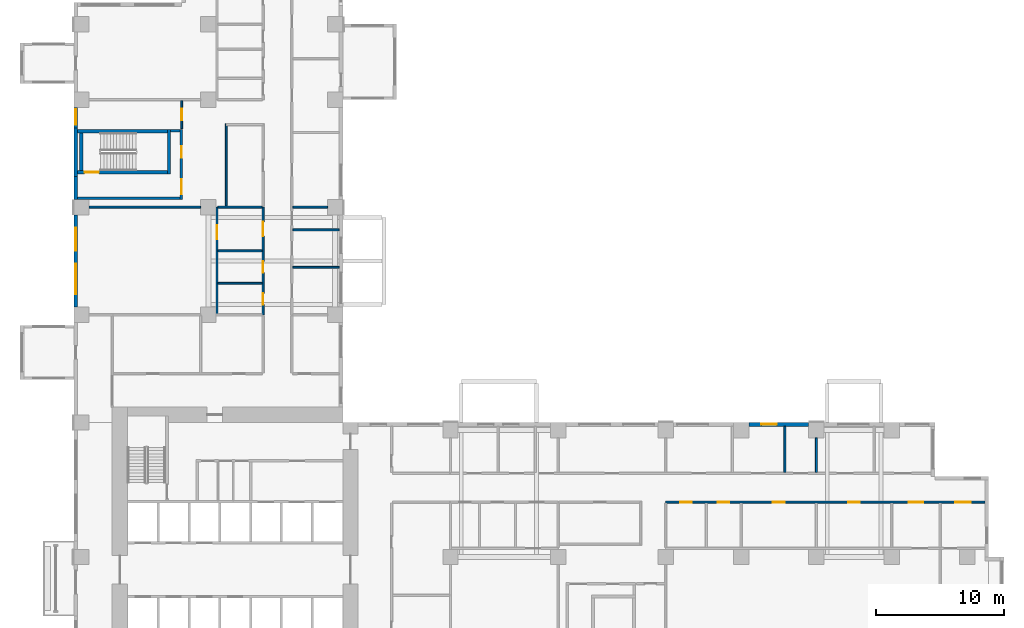
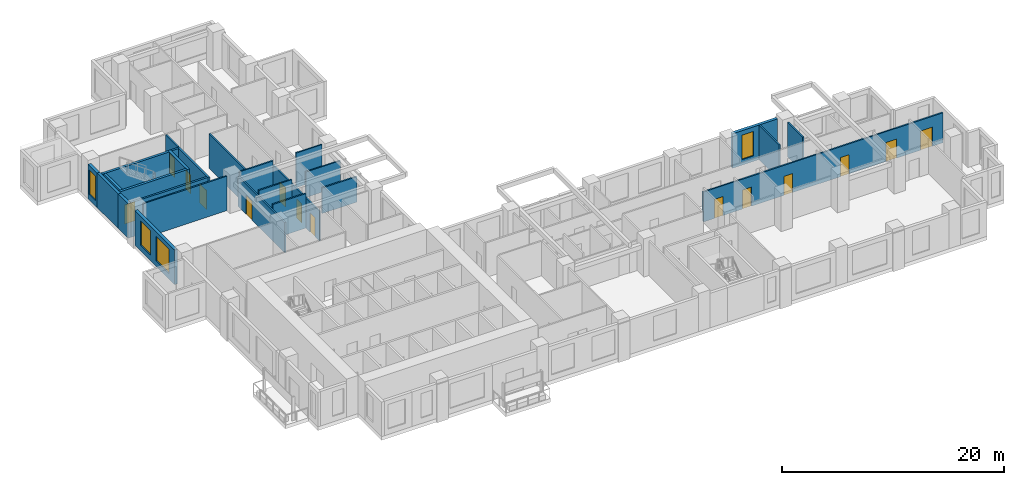
# One storey, part 6 of 14: 26 walls, 14 doors, 4 windows, 18 openings.
"""IFC4 building model written with IfcOpenShell, lengths in metres."""

import ifcopenshell
import ifcopenshell.guid

model = None  # the IFC model being written
_history = None  # IfcOwnerHistory: only IFC2X3 demands one
_inside = {}  # id of a spatial element -> (the spatial element, [elements in it])
_under = {}  # id of a project, library or spatial element -> (it, [spatial elements below it])
_declared = {}  # id of a project -> (the project, [libraries it declares])
_typed = {}  # id of a type object -> (the type object, [elements of that type])
_made_of = {}  # id of a material, layer set ... -> (it, [elements and type objects made of it])


def new_model(schema):
    """Start an empty IFC model of exactly this schema.

    Asked for "IFC4X3", IfcOpenShell would pick the latest addendum, in which some entities
    have other attributes; the version numbers below select the first issue.
    IFC2X3 requires an IfcOwnerHistory on every rooted entity: one is made here for all.
    """
    global model, _history
    if schema == "IFC4X3":
        model = ifcopenshell.file(schema_version=(4, 3, 0, 0))
    else:
        model = ifcopenshell.file(schema=schema)
    _inside.clear()
    _under.clear()
    _declared.clear()
    _typed.clear()
    _made_of.clear()
    _history = None
    if model.schema == "IFC2X3":
        org = make("IfcOrganization", Name="unknown")
        user = make(
            "IfcPersonAndOrganization",
            ThePerson=make("IfcPerson", FamilyName="unknown"),
            TheOrganization=org,
        )
        app = make(
            "IfcApplication",
            ApplicationDeveloper=org,
            Version="unknown",
            ApplicationFullName="unknown",
            ApplicationIdentifier="unknown",
        )
        _history = make(
            "IfcOwnerHistory",
            OwningUser=user,
            OwningApplication=app,
            ChangeAction="ADDED",
            CreationDate=0,
        )
    return model


def make(cls, **values):
    """One entity of the class cls with the attributes given. An attribute that is None is left unset."""
    return model.create_entity(
        cls, **{name: value for name, value in values.items() if value is not None}
    )


def rooted(cls, **values):
    """An entity with a GlobalId (a new one), such as an element, a storey or a relation."""
    return make(cls, GlobalId=ifcopenshell.guid.new(), OwnerHistory=_history, **values)


def si_unit(unit_type, name, prefix=None):
    """IfcSIUnit, for example si_unit("LENGTHUNIT", "METRE", prefix="MILLI")."""
    return make("IfcSIUnit", UnitType=unit_type, Prefix=prefix, Name=name)


def assignment(units):
    """IfcUnitAssignment: the units of a project."""
    return None if units is None else make("IfcUnitAssignment", Units=units)


def point(xyz):
    """IfcCartesianPoint."""
    return None if xyz is None else make("IfcCartesianPoint", Coordinates=xyz)


def direction(xyz):
    """IfcDirection."""
    return None if xyz is None else make("IfcDirection", DirectionRatios=xyz)


def frame(location, z_axis=None, x_axis=None):
    """IfcAxis2Placement3D, a coordinate frame: its origin and axes. An axis left out is left unset."""
    return make(
        "IfcAxis2Placement3D",
        Location=point(location),
        Axis=direction(z_axis),
        RefDirection=direction(x_axis),
    )


def frame_2d(location, x_axis=None):
    """IfcAxis2Placement2D, a coordinate frame in the plane: its origin and x axis."""
    return make(
        "IfcAxis2Placement2D", Location=point(location), RefDirection=direction(x_axis)
    )


def origin():
    """The frame at (0, 0, 0) with its axes left unset."""
    return frame((0.0, 0.0, 0.0))


def place(relative_to, where):
    """IfcLocalPlacement: puts the frame where relative to a parent placement (None: the world)."""
    return make(
        "IfcLocalPlacement", PlacementRelTo=relative_to, RelativePlacement=where
    )


def context(
    kind, dimensions, precision=None, world=None, true_north=None, identifier=None
):
    """IfcGeometricRepresentationContext, for example the 3D "Model" context."""
    return make(
        "IfcGeometricRepresentationContext",
        ContextIdentifier=identifier,
        ContextType=kind,
        CoordinateSpaceDimension=dimensions,
        Precision=precision,
        WorldCoordinateSystem=world,
        TrueNorth=true_north,
    )


def subcontext(parent, identifier, kind, view, scale=None):
    """IfcGeometricRepresentationSubContext, for example "Body" below "Model"."""
    return make(
        "IfcGeometricRepresentationSubContext",
        ContextIdentifier=identifier,
        ContextType=kind,
        ParentContext=parent,
        TargetScale=scale,
        TargetView=view,
    )


def project(units=None, contexts=None):
    """IfcProject with its units and contexts."""
    return rooted(
        "IfcProject",
        Name="project",
        RepresentationContexts=contexts,
        UnitsInContext=assignment(units),
    )


def spatial(cls, under=None, at=None, **own):
    """A site, building, storey or space (cls), placed at a placement, below another one or the project."""
    s = rooted(cls, ObjectPlacement=at, **own)
    if under is not None:
        _under.setdefault(under.id(), (under, []))[1].append(s)
    return s


def profile(cls, at=None, kind="AREA", **sizes):
    """A parametric profile (cls). Its sizes go by their IFC names, for example OverallWidth=200.0."""
    return make(cls, ProfileType=kind, Position=at, **sizes)


def rectangle(**sizes):
    """IfcRectangleProfileDef."""
    return profile("IfcRectangleProfileDef", **sizes)


def extrude(swept, where, along, depth):
    """IfcExtrudedAreaSolid: the profile swept, set in the frame where, extruded along a direction by depth."""
    return make(
        "IfcExtrudedAreaSolid",
        SweptArea=swept,
        Position=where,
        ExtrudedDirection=direction(along),
        Depth=depth,
    )


def shape(context_of_items, identifier, shape_type, items):
    """IfcShapeRepresentation: the items that make up one representation, for example the "Body"."""
    return make(
        "IfcShapeRepresentation",
        ContextOfItems=context_of_items,
        RepresentationIdentifier=identifier,
        RepresentationType=shape_type,
        Items=items,
    )


def source(mapping_origin, context_of_items, identifier, shape_type, items):
    """IfcRepresentationMap: a shape defined once, which mapped items show again and again."""
    return make(
        "IfcRepresentationMap",
        MappingOrigin=mapping_origin,
        MappedRepresentation=shape(context_of_items, identifier, shape_type, items),
    )


def transform(
    local_origin,
    x_axis=None,
    y_axis=None,
    z_axis=None,
    scale=None,
    scale2=None,
    scale3=None,
    uniform=True,
):
    """IfcCartesianTransformationOperator3D, or its non-uniform kind. x_axis, y_axis, z_axis: its Axis1, 2, 3."""
    if uniform:
        return make(
            "IfcCartesianTransformationOperator3D",
            Axis1=direction(x_axis),
            Axis2=direction(y_axis),
            LocalOrigin=point(local_origin),
            Scale=scale,
            Axis3=direction(z_axis),
        )
    return make(
        "IfcCartesianTransformationOperator3DnonUniform",
        Axis1=direction(x_axis),
        Axis2=direction(y_axis),
        LocalOrigin=point(local_origin),
        Scale=scale,
        Axis3=direction(z_axis),
        Scale2=scale2,
        Scale3=scale3,
    )


def mapped(mapping_source, mapping_target):
    """IfcMappedItem: shows the shape of a source again, moved by a transform."""
    return make(
        "IfcMappedItem", MappingSource=mapping_source, MappingTarget=mapping_target
    )


def material(Name=None, Category=None):
    """IfcMaterial."""
    return make("IfcMaterial", Name=Name, Category=Category)


def layer(
    of_material, thickness, ventilated=None, Name=None, Category=None, Priority=None
):
    """IfcMaterialLayer: one layer of a wall or slab, of a material (None: an air gap)."""
    return make(
        "IfcMaterialLayer",
        Material=of_material,
        LayerThickness=thickness,
        IsVentilated=ventilated,
        Name=Name,
        Category=Category,
        Priority=Priority,
    )


def layer_set(layers, Name=None):
    """IfcMaterialLayerSet."""
    return make("IfcMaterialLayerSet", MaterialLayers=layers, LayerSetName=Name)


def made_of(thing, what):
    """Note that an element or type object is made of a material, layer set ...; save() writes the relation."""
    if what is not None:
        _made_of.setdefault(what.id(), (what, []))[1].append(thing)
    return thing


def type_object(cls, material=None, **own):
    """A type object (cls), such as IfcWallType, which elements share."""
    return made_of(rooted(cls, **own), material)


def element(
    cls,
    number,
    at=None,
    inside=None,
    cuts=None,
    type_object=None,
    material=None,
    context=None,
    identifier="Body",
    shape_type=None,
    held_by="IfcProductDefinitionShape",
    body=None,
    shapes=None,
    **own,
):
    """One element of the class cls, such as IfcWall. Its Tag is "e" and its number.

    at: its placement. inside: the storey or other place that contains it. cuts: it is an
    opening in that element (IfcRelVoidsElement). A single representation is given by context,
    identifier, shape_type and body (its items); several are given by shapes. held_by: the class
    of the entity that holds the representations. save() writes the other relations.
    """
    e = rooted(cls, Tag="e%d" % number, ObjectPlacement=at, **own)
    if body is not None:
        shapes = [shape(context, identifier, shape_type, body)]
    if shapes is not None:
        e.Representation = make(held_by, Representations=shapes)
    if inside is not None:
        _inside.setdefault(inside.id(), (inside, []))[1].append(e)
    if cuts is not None:
        rooted(
            "IfcRelVoidsElement", RelatingBuildingElement=cuts, RelatedOpeningElement=e
        )
    if type_object is not None:
        _typed.setdefault(type_object.id(), (type_object, []))[1].append(e)
    return made_of(e, material)


def fill(opening, filler):
    """IfcRelFillsElement: the door or window that sits in an opening."""
    return rooted(
        "IfcRelFillsElement",
        RelatingOpeningElement=opening,
        RelatedBuildingElement=filler,
    )


def aggregate(whole, parts):
    """IfcRelAggregates: a whole, such as a stair, and the parts it consists of."""
    return rooted("IfcRelAggregates", RelatingObject=whole, RelatedObjects=parts)


def save(model, path):
    """Write the relations noted so far, then the file.

    IfcRelAggregates (storeys below a building ...), IfcRelContainedInSpatialStructure (elements
    in a storey), IfcRelDefinesByType, IfcRelAssociatesMaterial and IfcRelDeclares: one each for
    every whole, place, type object, material and project.
    """
    for whole, parts in _under.values():
        aggregate(whole, parts)
    for where, things in _inside.values():
        rooted(
            "IfcRelContainedInSpatialStructure",
            RelatedElements=things,
            RelatingStructure=where,
        )
    for kind, things in _typed.values():
        rooted("IfcRelDefinesByType", RelatedObjects=things, RelatingType=kind)
    for what, things in _made_of.values():
        rooted("IfcRelAssociatesMaterial", RelatedObjects=things, RelatingMaterial=what)
    for by, libraries in _declared.values():
        rooted("IfcRelDeclares", RelatingContext=by, RelatedDefinitions=libraries)
    model.write(path)


model = new_model("IFC4")

# Units and contexts
model_context = context("Model", 3, precision=1e-05, world=origin(), true_north=direction((0.0, 1.0)))
body_context = subcontext(model_context, "Body", "Model", "MODEL_VIEW")
ifc_project = project(units=[si_unit("LENGTHUNIT", "METRE"), si_unit("AREAUNIT", "SQUARE_METRE"), si_unit("VOLUMEUNIT", "CUBIC_METRE"), si_unit("PLANEANGLEUNIT", "RADIAN"), si_unit("MASSUNIT", "GRAM", prefix="KILO")], contexts=[model_context])

# Site, building, storey
site_placement = place(None, origin())
site = spatial("IfcSite", under=ifc_project, at=site_placement, CompositionType="ELEMENT")
building_placement = place(site_placement, origin())
building = spatial("IfcBuilding", under=site, at=building_placement, Name="Aurelian Terraces", CompositionType="ELEMENT")
storey_placement = place(building_placement, frame((0.0, 0.0, 86.7)))
storey = spatial("IfcBuildingStorey", under=building, at=storey_placement, Name="L18", CompositionType="ELEMENT", Elevation=86.7)

# Wall, openings, windows
ifc_material_1 = material(Name="Terracotta rainscreen cladding", Category="masonry")
ifc_layer_1 = layer(ifc_material_1, 0.3)
ifc_layer_set_1 = layer_set([ifc_layer_1], Name="EW-300")
wall_type_1 = type_object("IfcWallType", Name="EW-300", PredefinedType="STANDARD", material=ifc_layer_set_1)
shared_shape_1 = source(origin(), body_context, "Body", "SweptSolid", [
    extrude(rectangle(XDim=7.2, YDim=0.3, at=frame_2d((3.6, 0.0))), origin(), (0.0, 0.0, 1.0), 3.8),
])
wall_1_placement = place(storey_placement, frame((0.15, 37.2, 0.0), z_axis=(0.0, 0.0, 1.0), x_axis=(0.0, -1.0, 0.0)))
wall_1 = element("IfcWall", 1, at=wall_1_placement, inside=storey, type_object=wall_type_1, Name="External wall L18 F12.31", PredefinedType="STANDARD", context=body_context, shape_type="MappedRepresentation", body=[
    mapped(shared_shape_1, transform((0.0, 0.0, 0.0), scale=1.0)),
])
shared_shape_2 = source(origin(), body_context, "Body", "SweptSolid", [
    extrude(rectangle(XDim=1.8, YDim=2.7, at=frame_2d((0.9, 1.35))), frame((0.0, 0.16, 0.0), z_axis=(0.0, -1.0, 0.0), x_axis=(1.0, 0.0, 0.0)), (0.0, 0.0, 1.0), 0.32),
])
opening_1_placement = place(wall_1_placement, frame((1.0075, 0.0, 0.6)))
opening_1 = element("IfcOpeningElement", 2, at=opening_1_placement, cuts=wall_1, Name="Opening W1827", PredefinedType="OPENING", context=body_context, shape_type="MappedRepresentation", body=[
    mapped(shared_shape_2, transform((0.0, 0.0, 0.0), scale=1.0)),
])
shared_shape_3 = source(origin(), body_context, "Body", "SweptSolid", [
    extrude(rectangle(XDim=2.4, YDim=2.7, at=frame_2d((1.2, 1.35))), frame((0.0, 0.16, 0.0), z_axis=(0.0, -1.0, 0.0), x_axis=(1.0, 0.0, 0.0)), (0.0, 0.0, 1.0), 0.32),
])
opening_2_placement = place(wall_1_placement, frame((3.8038, 0.0, 0.6)))
opening_2 = element("IfcOpeningElement", 3, at=opening_2_placement, cuts=wall_1, Name="Opening W2427", PredefinedType="OPENING", context=body_context, shape_type="MappedRepresentation", body=[
    mapped(shared_shape_3, transform((0.0, 0.0, 0.0), scale=1.0)),
])
ifc_material_2 = material(Name="Clear glazing", Category="glass")
window_type_1 = type_object("IfcWindowType", Name="W-2400x2700", PartitioningType="SINGLE_PANEL", PredefinedType="WINDOW", material=ifc_material_2)
shared_shape_4 = source(origin(), body_context, "Body", "SweptSolid", [
    extrude(rectangle(XDim=2.4, YDim=2.7, at=frame_2d((1.2, 1.35))), frame((0.0, 0.03, 0.0), z_axis=(0.0, -1.0, 0.0), x_axis=(1.0, 0.0, 0.0)), (0.0, 0.0, 1.0), 0.06),
])
window_1_placement = place(opening_2_placement, origin())
window_1 = element("IfcWindow", 4, at=window_1_placement, inside=storey, type_object=window_type_1, Name="Window L18 L18-F12-31-G5-194", OverallHeight=2.7, OverallWidth=2.4, PartitioningType="SINGLE_PANEL", PredefinedType="WINDOW", context=body_context, shape_type="MappedRepresentation", body=[
    mapped(shared_shape_4, transform((0.0, 0.0, 0.0), scale=1.0)),
])
fill(opening_2, window_1)
window_type_2 = type_object("IfcWindowType", Name="W-1800x2700", PartitioningType="SINGLE_PANEL", PredefinedType="WINDOW", material=ifc_material_2)
shared_shape_5 = source(origin(), body_context, "Body", "SweptSolid", [
    extrude(rectangle(XDim=1.8, YDim=2.7, at=frame_2d((0.9, 1.35))), frame((0.0, 0.03, 0.0), z_axis=(0.0, -1.0, 0.0), x_axis=(1.0, 0.0, 0.0)), (0.0, 0.0, 1.0), 0.06),
])
window_2_placement = place(opening_1_placement, origin())
window_2 = element("IfcWindow", 5, at=window_2_placement, inside=storey, type_object=window_type_2, Name="Window L18 L18-F12-31-4", OverallHeight=2.7, OverallWidth=1.8, PartitioningType="SINGLE_PANEL", PredefinedType="WINDOW", context=body_context, shape_type="MappedRepresentation", body=[
    mapped(shared_shape_5, transform((0.0, 0.0, 0.0), scale=1.0)),
])
fill(opening_1, window_2)

# Wall, opening, window
shared_shape_6 = source(origin(), body_context, "Body", "SweptSolid", [
    extrude(rectangle(XDim=4.68, YDim=0.3, at=frame_2d((2.34, 0.0))), origin(), (0.0, 0.0, 1.0), 3.8),
])
wall_2_placement = place(storey_placement, frame((57.36, 20.85, 0.0), z_axis=(0.0, 0.0, 1.0), x_axis=(-1.0, 0.0, 0.0)))
wall_2 = element("IfcWall", 6, at=wall_2_placement, inside=storey, type_object=wall_type_1, Name="External wall L18 F07.20", PredefinedType="STANDARD", context=body_context, shape_type="MappedRepresentation", body=[
    mapped(shared_shape_6, transform((0.0, 0.0, 0.0), scale=1.0)),
])
shared_shape_7 = source(origin(), body_context, "Body", "SweptSolid", [
    extrude(rectangle(XDim=1.2, YDim=2.7, at=frame_2d((0.6, 1.35))), frame((0.0, 0.16, 0.0), z_axis=(0.0, -1.0, 0.0), x_axis=(1.0, 0.0, 0.0)), (0.0, 0.0, 1.0), 0.32),
])
opening_3_placement = place(wall_2_placement, frame((2.492, 0.0, 0.6)))
opening_3 = element("IfcOpeningElement", 7, at=opening_3_placement, cuts=wall_2, Name="Opening W1227", PredefinedType="OPENING", context=body_context, shape_type="MappedRepresentation", body=[
    mapped(shared_shape_7, transform((0.0, 0.0, 0.0), scale=1.0)),
])
window_type_3 = type_object("IfcWindowType", Name="W-1200x2700", PartitioningType="SINGLE_PANEL", PredefinedType="WINDOW", material=ifc_material_2)
shared_shape_8 = source(origin(), body_context, "Body", "SweptSolid", [
    extrude(rectangle(XDim=1.2, YDim=2.7, at=frame_2d((0.6, 1.35))), frame((0.0, 0.03, 0.0), z_axis=(0.0, -1.0, 0.0), x_axis=(1.0, 0.0, 0.0)), (0.0, 0.0, 1.0), 0.06),
])
window_3_placement = place(opening_3_placement, origin())
window_3 = element("IfcWindow", 8, at=window_3_placement, inside=storey, type_object=window_type_3, Name="Window L18 L18-F07-20-P2", OverallHeight=2.7, OverallWidth=1.2, PartitioningType="SINGLE_PANEL", PredefinedType="WINDOW", context=body_context, shape_type="MappedRepresentation", body=[
    mapped(shared_shape_8, transform((0.0, 0.0, 0.0), scale=1.0)),
])
fill(opening_3, window_3)

shared_shape_9 = source(origin(), body_context, "Body", "SweptSolid", [
    extrude(rectangle(XDim=1.6, YDim=0.3, at=frame_2d((0.8, 0.0))), origin(), (0.0, 0.0, 1.0), 3.8),
])
wall_3_placement = place(storey_placement, frame((0.15, 45.6, 0.0), z_axis=(0.0, 0.0, 1.0), x_axis=(0.0, -1.0, 0.0)))
wall_3 = element("IfcWall", 9, at=wall_3_placement, inside=storey, type_object=wall_type_1, Name="External wall L18 F12.31", PredefinedType="STANDARD", context=body_context, shape_type="MappedRepresentation", body=[
    mapped(shared_shape_9, transform((0.0, 0.0, 0.0), scale=1.0)),
])
opening_4_placement = place(wall_3_placement, frame((0.165, 0.0, 0.6)))
opening_4 = element("IfcOpeningElement", 10, at=opening_4_placement, cuts=wall_3, Name="Opening W1227", PredefinedType="OPENING", context=body_context, shape_type="MappedRepresentation", body=[
    mapped(shared_shape_7, transform((0.0, 0.0, 0.0), scale=1.0)),
])
window_4_placement = place(opening_4_placement, origin())
window_4 = element("IfcWindow", 11, at=window_4_placement, inside=storey, type_object=window_type_3, Name="Window L18 L18-F12-31-2", OverallHeight=2.7, OverallWidth=1.2, PartitioningType="SINGLE_PANEL", PredefinedType="WINDOW", context=body_context, shape_type="MappedRepresentation", body=[
    mapped(shared_shape_8, transform((0.0, 0.0, 0.0), scale=1.0)),
])
fill(opening_4, window_4)

# Walls
ifc_material_3 = material(Name="Concrete fc' 40 MPa", Category="concrete")
ifc_layer_2 = layer(ifc_material_3, 0.3)
ifc_layer_set_2 = layer_set([ifc_layer_2], Name="STAIR BAY WALL 300")
wall_type_2 = type_object("IfcWallType", Name="STAIR BAY WALL 300", PredefinedType="SOLIDWALL", material=ifc_layer_set_2)
shared_shape_10 = source(origin(), body_context, "Body", "SweptSolid", [
    extrude(rectangle(XDim=3.8, YDim=0.3, at=frame_2d((1.9, 0.0))), origin(), (0.0, 0.0, 1.0), 3.8),
])
wall_4_placement = place(storey_placement, frame((0.15, 44.0, 0.0), z_axis=(0.0, 0.0, 1.0), x_axis=(0.0, -1.0, 0.0)))
element("IfcWall", 12, at=wall_4_placement, inside=storey, type_object=wall_type_2, Name="Stair bay wall L18 F12.31", PredefinedType="SOLIDWALL", context=body_context, shape_type="MappedRepresentation", body=[
    mapped(shared_shape_10, transform((0.0, 0.0, 0.0), scale=1.0)),
])
shared_shape_11 = source(origin(), body_context, "Body", "SweptSolid", [
    extrude(rectangle(XDim=1.8, YDim=0.3, at=frame_2d((0.9, 0.0))), origin(), (0.0, 0.0, 1.0), 3.8),
])
wall_5_placement = place(storey_placement, frame((0.15, 40.2, 0.0), z_axis=(0.0, 0.0, 1.0), x_axis=(0.0, -1.0, 0.0)))
element("IfcWall", 13, at=wall_5_placement, inside=storey, type_object=wall_type_1, Name="External wall L18 F12.31", PredefinedType="STANDARD", context=body_context, shape_type="MappedRepresentation", body=[
    mapped(shared_shape_11, transform((0.0, 0.0, 0.0), scale=1.0)),
])

# Wall, opening, door
ifc_layer_3 = layer(ifc_material_3, 0.25)
ifc_layer_set_3 = layer_set([ifc_layer_3], Name="Stair enclosure wall 250")
wall_type_3 = type_object("IfcWallType", Name="Stair enclosure wall 250", PredefinedType="SOLIDWALL", material=ifc_layer_set_3)
shared_shape_12 = source(origin(), body_context, "Body", "SweptSolid", [
    extrude(rectangle(XDim=7.0, YDim=0.25, at=frame_2d((3.5, 0.0))), origin(), (0.0, 0.0, 1.0), 3.8),
])
wall_6_placement = place(storey_placement, frame((0.3, 40.525, 0.0), z_axis=(0.0, 0.0, 1.0), x_axis=(1.0, 0.0, 0.0)))
wall_6 = element("IfcWall", 14, at=wall_6_placement, inside=storey, type_object=wall_type_3, Name="L18 core wall ST-S3-W", PredefinedType="SOLIDWALL", context=body_context, shape_type="MappedRepresentation", body=[
    mapped(shared_shape_12, transform((0.0, 0.0, 0.0), scale=1.0)),
])
shared_shape_13 = source(origin(), body_context, "Body", "SweptSolid", [
    extrude(rectangle(XDim=1.1, YDim=2.1, at=frame_2d((0.55, 1.05))), frame((0.0, 0.135, 0.0), z_axis=(0.0, -1.0, 0.0), x_axis=(1.0, 0.0, 0.0)), (0.0, 0.0, 1.0), 0.27),
])
opening_5_placement = place(wall_6_placement, frame((0.55, 0.0, 0.0)))
opening_5 = element("IfcOpeningElement", 15, at=opening_5_placement, cuts=wall_6, Name="Opening 62118", PredefinedType="OPENING", context=body_context, shape_type="MappedRepresentation", body=[
    mapped(shared_shape_13, transform((0.0, 0.0, 0.0), scale=1.0)),
])
ifc_material_4 = material(Name="Steel door leaf", Category="steel")
door_type_1 = type_object("IfcDoorType", Name="Core fire door 1100x2100 right", OperationType="SINGLE_SWING_RIGHT", PredefinedType="DOOR", material=ifc_material_4)
shared_shape_14 = source(origin(), body_context, "Body", "SweptSolid", [
    extrude(rectangle(XDim=1.1, YDim=2.1, at=frame_2d((0.55, 1.05))), frame((0.0, 0.025, 0.0), z_axis=(0.0, -1.0, 0.0), x_axis=(1.0, 0.0, 0.0)), (0.0, 0.0, 1.0), 0.05),
])
door_1_placement = place(opening_5_placement, origin())
door_1 = element("IfcDoor", 16, at=door_1_placement, inside=storey, type_object=door_type_1, Name="Stair door 62118", OperationType="SINGLE_SWING_RIGHT", OverallHeight=2.1, OverallWidth=1.1, PredefinedType="DOOR", context=body_context, shape_type="MappedRepresentation", body=[
    mapped(shared_shape_14, transform((0.0, 0.0, 0.0), scale=1.0)),
])
fill(opening_5, door_1)

# Walls
wall_7_placement = place(storey_placement, frame((0.3, 43.725, 0.0), z_axis=(0.0, 0.0, 1.0), x_axis=(1.0, 0.0, 0.0)))
element("IfcWall", 17, at=wall_7_placement, inside=storey, type_object=wall_type_3, Name="L18 core wall ST-S3-E", PredefinedType="SOLIDWALL", context=body_context, shape_type="MappedRepresentation", body=[
    mapped(shared_shape_12, transform((0.0, 0.0, 0.0), scale=1.0)),
])
shared_shape_15 = source(origin(), body_context, "Body", "SweptSolid", [
    extrude(rectangle(XDim=3.45, YDim=0.25, at=frame_2d((1.725, 0.0))), origin(), (0.0, 0.0, 1.0), 3.8),
])
wall_8_placement = place(storey_placement, frame((7.425, 40.4, 0.0), z_axis=(0.0, 0.0, 1.0), x_axis=(0.0, 1.0, 0.0)))
element("IfcWall", 18, at=wall_8_placement, inside=storey, type_object=wall_type_3, Name="L18 core wall ST-S3-N", PredefinedType="SOLIDWALL", context=body_context, shape_type="MappedRepresentation", body=[
    mapped(shared_shape_15, transform((0.0, 0.0, 0.0), scale=1.0)),
])
shared_shape_16 = source(origin(), body_context, "Body", "SweptSolid", [
    extrude(rectangle(XDim=2.95, YDim=0.25, at=frame_2d((1.475, 0.0))), origin(), (0.0, 0.0, 1.0), 3.8),
])
wall_9_placement = place(storey_placement, frame((0.575, 40.65, 0.0), z_axis=(0.0, 0.0, 1.0), x_axis=(0.0, 1.0, 0.0)))
element("IfcWall", 19, at=wall_9_placement, inside=storey, type_object=wall_type_3, Name="L18 core wall ST-S3-SS", PredefinedType="SOLIDWALL", context=body_context, shape_type="MappedRepresentation", body=[
    mapped(shared_shape_16, transform((0.0, 0.0, 0.0), scale=1.0)),
])
ifc_material_5 = material(Name="Gypsum board on steel studs", Category="steel")
ifc_layer_4 = layer(ifc_material_5, 0.2)
ifc_layer_set_4 = layer_set([ifc_layer_4], Name="Core partition 200")
wall_type_4 = type_object("IfcWallType", Name="Core partition 200", PredefinedType="PARTITIONING", material=ifc_layer_set_4)
shared_shape_17 = source(origin(), body_context, "Body", "SweptSolid", [
    extrude(rectangle(XDim=8.0, YDim=0.2, at=frame_2d((4.0, 0.0))), origin(), (0.0, 0.0, 1.0), 3.8),
])
wall_10_placement = place(storey_placement, frame((0.3, 38.5, 0.0), z_axis=(0.0, 0.0, 1.0), x_axis=(1.0, 0.0, 0.0)))
element("IfcWall", 20, at=wall_10_placement, inside=storey, type_object=wall_type_4, Name="L18 core wall ST-S3-VW", PredefinedType="PARTITIONING", context=body_context, shape_type="MappedRepresentation", body=[
    mapped(shared_shape_17, transform((0.0, 0.0, 0.0), scale=1.0)),
])

# Wall, openings, doors
shared_shape_18 = source(origin(), body_context, "Body", "SweptSolid", [
    extrude(rectangle(XDim=5.45, YDim=0.2, at=frame_2d((2.725, 0.0))), origin(), (0.0, 0.0, 1.0), 3.8),
])
wall_11_placement = place(storey_placement, frame((8.4, 38.4, 0.0), z_axis=(0.0, 0.0, 1.0), x_axis=(0.0, 1.0, 0.0)))
wall_11 = element("IfcWall", 21, at=wall_11_placement, inside=storey, type_object=wall_type_4, Name="L18 core wall ST-S3-BN", PredefinedType="PARTITIONING", context=body_context, shape_type="MappedRepresentation", body=[
    mapped(shared_shape_18, transform((0.0, 0.0, 0.0), scale=1.0)),
])
shared_shape_19 = source(origin(), body_context, "Body", "SweptSolid", [
    extrude(rectangle(XDim=1.2, YDim=2.1, at=frame_2d((0.6, 1.05))), frame((0.0, 0.11, 0.0), z_axis=(0.0, -1.0, 0.0), x_axis=(1.0, 0.0, 0.0)), (0.0, 0.0, 1.0), 0.22),
])
opening_6_placement = place(wall_11_placement, frame((0.4, 0.0, 0.0)))
opening_6 = element("IfcOpeningElement", 22, at=opening_6_placement, cuts=wall_11, Name="Opening 62119", PredefinedType="OPENING", context=body_context, shape_type="MappedRepresentation", body=[
    mapped(shared_shape_19, transform((0.0, 0.0, 0.0), scale=1.0)),
])
shared_shape_20 = source(origin(), body_context, "Body", "SweptSolid", [
    extrude(rectangle(XDim=0.9, YDim=2.1, at=frame_2d((0.45, 1.05))), frame((0.0, 0.11, 0.0), z_axis=(0.0, -1.0, 0.0), x_axis=(1.0, 0.0, 0.0)), (0.0, 0.0, 1.0), 0.22),
])
opening_7_placement = place(wall_11_placement, frame((3.25, 0.0, 0.0)))
opening_7 = element("IfcOpeningElement", 23, at=opening_7_placement, cuts=wall_11, Name="Opening 62120", PredefinedType="OPENING", context=body_context, shape_type="MappedRepresentation", body=[
    mapped(shared_shape_20, transform((0.0, 0.0, 0.0), scale=1.0)),
])
door_type_2 = type_object("IfcDoorType", Name="Core riser door 900x2100 right", OperationType="SINGLE_SWING_RIGHT", PredefinedType="DOOR", material=ifc_material_4)
shared_shape_21 = source(origin(), body_context, "Body", "SweptSolid", [
    extrude(rectangle(XDim=0.9, YDim=2.1, at=frame_2d((0.45, 1.05))), frame((0.0, 0.025, 0.0), z_axis=(0.0, -1.0, 0.0), x_axis=(1.0, 0.0, 0.0)), (0.0, 0.0, 1.0), 0.05),
])
door_2_placement = place(opening_7_placement, origin())
door_2 = element("IfcDoor", 24, at=door_2_placement, inside=storey, type_object=door_type_2, Name="Riser door 62120", OperationType="SINGLE_SWING_RIGHT", OverallHeight=2.1, OverallWidth=0.9, PredefinedType="DOOR", context=body_context, shape_type="MappedRepresentation", body=[
    mapped(shared_shape_21, transform((0.0, 0.0, 0.0), scale=1.0)),
])
fill(opening_7, door_2)
door_type_3 = type_object("IfcDoorType", Name="Core fire door 1200x2100", OperationType="SINGLE_SWING_LEFT", PredefinedType="DOOR", material=ifc_material_4)
shared_shape_22 = source(origin(), body_context, "Body", "SweptSolid", [
    extrude(rectangle(XDim=1.2, YDim=2.1, at=frame_2d((0.6, 1.05))), frame((0.0, 0.025, 0.0), z_axis=(0.0, -1.0, 0.0), x_axis=(1.0, 0.0, 0.0)), (0.0, 0.0, 1.0), 0.05),
])
door_3_placement = place(opening_6_placement, origin())
door_3 = element("IfcDoor", 25, at=door_3_placement, inside=storey, type_object=door_type_3, Name="Vestibule door 62119", OperationType="SINGLE_SWING_LEFT", OverallHeight=2.1, OverallWidth=1.2, PredefinedType="DOOR", context=body_context, shape_type="MappedRepresentation", body=[
    mapped(shared_shape_22, transform((0.0, 0.0, 0.0), scale=1.0)),
])
fill(opening_6, door_3)

# Walls
shared_shape_23 = source(origin(), body_context, "Body", "SweptSolid", [
    extrude(rectangle(XDim=0.75, YDim=0.2, at=frame_2d((0.375, 0.0))), origin(), (0.0, 0.0, 1.0), 3.8),
])
wall_12_placement = place(storey_placement, frame((7.55, 43.75, 0.0), z_axis=(0.0, 0.0, 1.0), x_axis=(1.0, 0.0, 0.0)))
element("IfcWall", 26, at=wall_12_placement, inside=storey, type_object=wall_type_4, Name="L18 core wall ST-S3-RE", PredefinedType="PARTITIONING", context=body_context, shape_type="MappedRepresentation", body=[
    mapped(shared_shape_23, transform((0.0, 0.0, 0.0), scale=1.0)),
])
ifc_layer_5 = layer(ifc_material_5, 0.15)
ifc_layer_set_5 = layer_set([ifc_layer_5], Name="Partition 150")
wall_type_5 = type_object("IfcWallType", Name="Partition 150", PredefinedType="PARTITIONING", material=ifc_layer_set_5)
shared_shape_24 = source(origin(), body_context, "Body", "SweptSolid", [
    extrude(rectangle(XDim=6.45, YDim=0.15, at=frame_2d((3.225, 0.0))), origin(), (0.0, 0.0, 1.0), 3.8),
])
wall_13_placement = place(storey_placement, frame((11.9, 44.325, 0.0), z_axis=(0.0, 0.0, 1.0), x_axis=(0.0, -1.0, 0.0)))
element("IfcWall", 27, at=wall_13_placement, inside=storey, type_object=wall_type_5, Name="Partition", PredefinedType="PARTITIONING", context=body_context, shape_type="MappedRepresentation", body=[
    mapped(shared_shape_24, transform((0.0, 0.0, 0.0), scale=1.0)),
])
shared_shape_25 = source(origin(), body_context, "Body", "SweptSolid", [
    extrude(rectangle(XDim=8.702, YDim=0.15, at=frame_2d((4.351, 0.0))), origin(), (0.0, 0.0, 1.0), 3.8),
])
wall_14_placement = place(storey_placement, frame((9.901, 37.8, 0.0), z_axis=(0.0, 0.0, 1.0), x_axis=(-1.0, 0.0, 0.0)))
element("IfcWall", 28, at=wall_14_placement, inside=storey, type_object=wall_type_5, Name="Partition", PredefinedType="PARTITIONING", context=body_context, shape_type="MappedRepresentation", body=[
    mapped(shared_shape_25, transform((0.0, 0.0, 0.0), scale=1.0)),
])
shared_shape_26 = source(origin(), body_context, "Body", "SweptSolid", [
    extrude(rectangle(XDim=3.6, YDim=0.15, at=frame_2d((1.8, 0.0))), origin(), (0.0, 0.0, 1.0), 3.8),
])
wall_15_placement = place(storey_placement, frame((55.4912, 20.7, 0.0), z_axis=(0.0, 0.0, 1.0), x_axis=(0.0, -1.0, 0.0)))
element("IfcWall", 29, at=wall_15_placement, inside=storey, type_object=wall_type_5, Name="Partition", PredefinedType="PARTITIONING", context=body_context, shape_type="MappedRepresentation", body=[
    mapped(shared_shape_26, transform((0.0, 0.0, 0.0), scale=1.0)),
])
shared_shape_27 = source(origin(), body_context, "Body", "SweptSolid", [
    extrude(rectangle(XDim=2.701, YDim=0.15, at=frame_2d((1.3505, 0.0))), origin(), (0.0, 0.0, 1.0), 3.8),
])
for number, where, z_axis, x_axis, name in (
    (30, (57.96, 17.1, 0.0), (0.0, 0.0, 1.0), (0.0, 1.0, 0.0), "Partition"),
    (31, (19.801, 37.8, 0.0), (0.0, 0.0, 1.0), (-1.0, 0.0, 0.0), "Partition"),
):
    element("IfcWall", number, at=place(storey_placement, frame(where, z_axis=z_axis, x_axis=x_axis)), inside=storey, type_object=wall_type_5, Name=name, PredefinedType="PARTITIONING", context=body_context, shape_type="MappedRepresentation", body=[
        mapped(shared_shape_27, transform((0.0, 0.0, 0.0), scale=1.0)),
    ])

# Wall, opening, door
shared_shape_28 = source(origin(), body_context, "Body", "SweptSolid", [
    extrude(rectangle(XDim=2.2, YDim=0.15, at=frame_2d((1.1, 0.0))), origin(), (0.0, 0.0, 1.0), 3.8),
])
wall_16_placement = place(storey_placement, frame((8.425, 43.925, 0.0), z_axis=(0.0, 0.0, 1.0), x_axis=(0.0, 1.0, 0.0)))
wall_16 = element("IfcWall", 32, at=wall_16_placement, inside=storey, type_object=wall_type_5, Name="Partition", PredefinedType="PARTITIONING", context=body_context, shape_type="MappedRepresentation", body=[
    mapped(shared_shape_28, transform((0.0, 0.0, 0.0), scale=1.0)),
])
shared_shape_29 = source(origin(), body_context, "Body", "SweptSolid", [
    extrude(rectangle(XDim=0.9, YDim=2.1, at=frame_2d((0.45, 1.05))), frame((0.0, 0.085, 0.0), z_axis=(0.0, -1.0, 0.0), x_axis=(1.0, 0.0, 0.0)), (0.0, 0.0, 1.0), 0.17),
])
opening_8_placement = place(wall_16_placement, frame((0.65, 0.0, 0.0)))
opening_8 = element("IfcOpeningElement", 33, at=opening_8_placement, cuts=wall_16, Name="Opening 718033", PredefinedType="OPENING", context=body_context, shape_type="MappedRepresentation", body=[
    mapped(shared_shape_29, transform((0.0, 0.0, 0.0), scale=1.0)),
])
ifc_material_6 = material(Name="Timber door leaf", Category="wood")
door_type_4 = type_object("IfcDoorType", Name="Room door 900x2100 right", OperationType="SINGLE_SWING_RIGHT", PredefinedType="DOOR", material=ifc_material_6)
door_4_placement = place(opening_8_placement, origin())
door_4 = element("IfcDoor", 34, at=door_4_placement, inside=storey, type_object=door_type_4, Name="Door 718033", OperationType="SINGLE_SWING_RIGHT", OverallHeight=2.1, OverallWidth=0.9, PredefinedType="DOOR", context=body_context, shape_type="MappedRepresentation", body=[
    mapped(shared_shape_21, transform((0.0, 0.0, 0.0), scale=1.0)),
])
fill(opening_8, door_4)

# Wall, openings, doors
ifc_layer_6 = layer(ifc_material_5, 0.15)
ifc_layer_set_6 = layer_set([ifc_layer_6], Name="Fire partition 150")
wall_type_6 = type_object("IfcWallType", Name="Fire partition 150", PredefinedType="PARTITIONING", material=ifc_layer_set_6)
shared_shape_30 = source(origin(), body_context, "Body", "SweptSolid", [
    extrude(rectangle(XDim=24.9, YDim=0.15, at=frame_2d((12.45, 0.0))), origin(), (0.0, 0.0, 1.0), 3.3),
])
wall_17_placement = place(storey_placement, frame((71.1, 14.775, 0.0), z_axis=(0.0, 0.0, 1.0), x_axis=(-1.0, 0.0, 0.0)))
wall_17 = element("IfcWall", 35, at=wall_17_placement, inside=storey, type_object=wall_type_6, Name="Corridor wall", PredefinedType="PARTITIONING", context=body_context, shape_type="MappedRepresentation", body=[
    mapped(shared_shape_30, transform((0.0, 0.0, 0.0), scale=1.0)),
])
shared_shape_31 = source(origin(), body_context, "Body", "SweptSolid", [
    extrude(rectangle(XDim=1.1, YDim=2.1, at=frame_2d((0.55, 1.05))), frame((0.0, 0.085, 0.0), z_axis=(0.0, -1.0, 0.0), x_axis=(1.0, 0.0, 0.0)), (0.0, 0.0, 1.0), 0.17),
])
opening_9_placement = place(wall_17_placement, frame((4.82, 0.0, 0.0)))
opening_9 = element("IfcOpeningElement", 36, at=opening_9_placement, cuts=wall_17, Name="Opening 718011", PredefinedType="OPENING", context=body_context, shape_type="MappedRepresentation", body=[
    mapped(shared_shape_31, transform((0.0, 0.0, 0.0), scale=1.0)),
])
opening_10_placement = place(wall_17_placement, frame((22.8655, 0.0, 0.0)))
opening_10 = element("IfcOpeningElement", 37, at=opening_10_placement, cuts=wall_17, Name="Opening 718013", PredefinedType="OPENING", context=body_context, shape_type="MappedRepresentation", body=[
    mapped(shared_shape_29, transform((0.0, 0.0, 0.0), scale=1.0)),
])
opening_11_placement = place(wall_17_placement, frame((19.9255, 0.0, 0.0)))
opening_11 = element("IfcOpeningElement", 38, at=opening_11_placement, cuts=wall_17, Name="Opening 718014", PredefinedType="OPENING", context=body_context, shape_type="MappedRepresentation", body=[
    mapped(shared_shape_29, transform((0.0, 0.0, 0.0), scale=1.0)),
])
opening_12_placement = place(wall_17_placement, frame((15.63, 0.0, 0.0)))
opening_12 = element("IfcOpeningElement", 39, at=opening_12_placement, cuts=wall_17, Name="Opening 718015", PredefinedType="OPENING", context=body_context, shape_type="MappedRepresentation", body=[
    mapped(shared_shape_29, transform((0.0, 0.0, 0.0), scale=1.0)),
])
opening_13_placement = place(wall_17_placement, frame((9.75, 0.0, 0.0)))
opening_13 = element("IfcOpeningElement", 40, at=opening_13_placement, cuts=wall_17, Name="Opening 718016", PredefinedType="OPENING", context=body_context, shape_type="MappedRepresentation", body=[
    mapped(shared_shape_29, transform((0.0, 0.0, 0.0), scale=1.0)),
])
shared_shape_32 = source(origin(), body_context, "Body", "SweptSolid", [
    extrude(rectangle(XDim=1.2, YDim=2.1, at=frame_2d((0.6, 1.05))), frame((0.0, 0.085, 0.0), z_axis=(0.0, -1.0, 0.0), x_axis=(1.0, 0.0, 0.0)), (0.0, 0.0, 1.0), 0.17),
])
opening_14_placement = place(wall_17_placement, frame((1.1025, 0.0, 0.0)))
opening_14 = element("IfcOpeningElement", 41, at=opening_14_placement, cuts=wall_17, Name="Opening 718017", PredefinedType="OPENING", context=body_context, shape_type="MappedRepresentation", body=[
    mapped(shared_shape_32, transform((0.0, 0.0, 0.0), scale=1.0)),
])
door_type_5 = type_object("IfcDoorType", Name="Room door 900x2100 left", OperationType="SINGLE_SWING_LEFT", PredefinedType="DOOR", material=ifc_material_6)
door_5_placement = place(opening_10_placement, origin())
door_5 = element("IfcDoor", 42, at=door_5_placement, inside=storey, type_object=door_type_5, Name="Door 718013", OperationType="SINGLE_SWING_LEFT", OverallHeight=2.1, OverallWidth=0.9, PredefinedType="DOOR", context=body_context, shape_type="MappedRepresentation", body=[
    mapped(shared_shape_21, transform((0.0, 0.0, 0.0), scale=1.0)),
])
fill(opening_10, door_5)
door_6_placement = place(opening_11_placement, origin())
door_6 = element("IfcDoor", 43, at=door_6_placement, inside=storey, type_object=door_type_4, Name="Door 718014", OperationType="SINGLE_SWING_RIGHT", OverallHeight=2.1, OverallWidth=0.9, PredefinedType="DOOR", context=body_context, shape_type="MappedRepresentation", body=[
    mapped(shared_shape_21, transform((0.0, 0.0, 0.0), scale=1.0)),
])
fill(opening_11, door_6)
door_7_placement = place(opening_12_placement, origin())
door_7 = element("IfcDoor", 44, at=door_7_placement, inside=storey, type_object=door_type_5, Name="Door 718015", OperationType="SINGLE_SWING_LEFT", OverallHeight=2.1, OverallWidth=0.9, PredefinedType="DOOR", context=body_context, shape_type="MappedRepresentation", body=[
    mapped(shared_shape_21, transform((0.0, 0.0, 0.0), scale=1.0)),
])
fill(opening_12, door_7)
door_8_placement = place(opening_13_placement, origin())
door_8 = element("IfcDoor", 45, at=door_8_placement, inside=storey, type_object=door_type_4, Name="Door 718016", OperationType="SINGLE_SWING_RIGHT", OverallHeight=2.1, OverallWidth=0.9, PredefinedType="DOOR", context=body_context, shape_type="MappedRepresentation", body=[
    mapped(shared_shape_21, transform((0.0, 0.0, 0.0), scale=1.0)),
])
fill(opening_13, door_8)
door_type_6 = type_object("IfcDoorType", Name="Room door 1100x2100 left", OperationType="SINGLE_SWING_LEFT", PredefinedType="DOOR", material=ifc_material_6)
door_9_placement = place(opening_9_placement, origin())
door_9 = element("IfcDoor", 46, at=door_9_placement, inside=storey, type_object=door_type_6, Name="Door 718011", OperationType="SINGLE_SWING_LEFT", OverallHeight=2.1, OverallWidth=1.1, PredefinedType="DOOR", context=body_context, shape_type="MappedRepresentation", body=[
    mapped(shared_shape_14, transform((0.0, 0.0, 0.0), scale=1.0)),
])
fill(opening_9, door_9)
door_type_7 = type_object("IfcDoorType", Name="Room door 1200x2100 left", OperationType="SINGLE_SWING_LEFT", PredefinedType="DOOR", material=ifc_material_6)
door_10_placement = place(opening_14_placement, origin())
door_10 = element("IfcDoor", 47, at=door_10_placement, inside=storey, type_object=door_type_7, Name="Door 718017", OperationType="SINGLE_SWING_LEFT", OverallHeight=2.1, OverallWidth=1.2, PredefinedType="DOOR", context=body_context, shape_type="MappedRepresentation", body=[
    mapped(shared_shape_22, transform((0.0, 0.0, 0.0), scale=1.0)),
])
fill(opening_14, door_10)

# Walls
shared_shape_33 = source(origin(), body_context, "Body", "SweptSolid", [
    extrude(rectangle(XDim=3.6, YDim=0.15, at=frame_2d((1.8, 0.0))), origin(), (0.0, 0.0, 1.0), 2.8),
])
for number, where, z_axis, x_axis, name in (
    (48, (17.1, 33.1133, 0.0), (0.0, 0.0, 1.0), (1.0, 0.0, 0.0), "Partition"),
    (49, (17.1, 36.024, 0.0), (0.0, 0.0, 1.0), (1.0, 0.0, 0.0), "Partition"),
):
    element("IfcWall", number, at=place(storey_placement, frame(where, z_axis=z_axis, x_axis=x_axis)), inside=storey, type_object=wall_type_5, Name=name, PredefinedType="PARTITIONING", context=body_context, shape_type="MappedRepresentation", body=[
        mapped(shared_shape_33, transform((0.0, 0.0, 0.0), scale=1.0)),
    ])

# Wall, opening, door
shared_shape_34 = source(origin(), body_context, "Body", "SweptSolid", [
    extrude(rectangle(XDim=8.4, YDim=0.15, at=frame_2d((4.2, 0.0))), origin(), (0.0, 0.0, 1.0), 3.3),
])
wall_18_placement = place(storey_placement, frame((11.175, 29.4, 0.0), z_axis=(0.0, 0.0, 1.0), x_axis=(0.0, 1.0, 0.0)))
wall_18 = element("IfcWall", 50, at=wall_18_placement, inside=storey, type_object=wall_type_5, Name="Partition", PredefinedType="PARTITIONING", context=body_context, shape_type="MappedRepresentation", body=[
    mapped(shared_shape_34, transform((0.0, 0.0, 0.0), scale=1.0)),
])
opening_15_placement = place(wall_18_placement, frame((5.8831, 0.0, 0.0)))
opening_15 = element("IfcOpeningElement", 51, at=opening_15_placement, cuts=wall_18, Name="Opening 718035", PredefinedType="OPENING", context=body_context, shape_type="MappedRepresentation", body=[
    mapped(shared_shape_31, transform((0.0, 0.0, 0.0), scale=1.0)),
])
door_type_8 = type_object("IfcDoorType", Name="Room door 1100x2100 right", OperationType="SINGLE_SWING_RIGHT", PredefinedType="DOOR", material=ifc_material_6)
door_11_placement = place(opening_15_placement, origin())
door_11 = element("IfcDoor", 52, at=door_11_placement, inside=storey, type_object=door_type_8, Name="Door 718035", OperationType="SINGLE_SWING_RIGHT", OverallHeight=2.1, OverallWidth=1.1, PredefinedType="DOOR", context=body_context, shape_type="MappedRepresentation", body=[
    mapped(shared_shape_14, transform((0.0, 0.0, 0.0), scale=1.0)),
])
fill(opening_15, door_11)

# Wall, openings, doors
wall_19_placement = place(storey_placement, frame((14.775, 29.4, 0.0), z_axis=(0.0, 0.0, 1.0), x_axis=(0.0, 1.0, 0.0)))
wall_19 = element("IfcWall", 53, at=wall_19_placement, inside=storey, type_object=wall_type_6, Name="Corridor wall", PredefinedType="PARTITIONING", context=body_context, shape_type="MappedRepresentation", body=[
    mapped(shared_shape_34, transform((0.0, 0.0, 0.0), scale=1.0)),
])
opening_16_placement = place(wall_19_placement, frame((6.1456, 0.0, 0.0)))
opening_16 = element("IfcOpeningElement", 54, at=opening_16_placement, cuts=wall_19, Name="Opening 718034", PredefinedType="OPENING", context=body_context, shape_type="MappedRepresentation", body=[
    mapped(shared_shape_31, transform((0.0, 0.0, 0.0), scale=1.0)),
])
opening_17_placement = place(wall_19_placement, frame((0.7806, 0.0, 0.0)))
opening_17 = element("IfcOpeningElement", 55, at=opening_17_placement, cuts=wall_19, Name="Opening 718036", PredefinedType="OPENING", context=body_context, shape_type="MappedRepresentation", body=[
    mapped(shared_shape_29, transform((0.0, 0.0, 0.0), scale=1.0)),
])
opening_18_placement = place(wall_19_placement, frame((3.2762, 0.0, 0.0)))
opening_18 = element("IfcOpeningElement", 56, at=opening_18_placement, cuts=wall_19, Name="Opening 718037", PredefinedType="OPENING", context=body_context, shape_type="MappedRepresentation", body=[
    mapped(shared_shape_29, transform((0.0, 0.0, 0.0), scale=1.0)),
])
door_12_placement = place(opening_17_placement, origin())
door_12 = element("IfcDoor", 57, at=door_12_placement, inside=storey, type_object=door_type_5, Name="Door 718036", OperationType="SINGLE_SWING_LEFT", OverallHeight=2.1, OverallWidth=0.9, PredefinedType="DOOR", context=body_context, shape_type="MappedRepresentation", body=[
    mapped(shared_shape_21, transform((0.0, 0.0, 0.0), scale=1.0)),
])
fill(opening_17, door_12)
door_13_placement = place(opening_18_placement, origin())
door_13 = element("IfcDoor", 58, at=door_13_placement, inside=storey, type_object=door_type_4, Name="Door 718037", OperationType="SINGLE_SWING_RIGHT", OverallHeight=2.1, OverallWidth=0.9, PredefinedType="DOOR", context=body_context, shape_type="MappedRepresentation", body=[
    mapped(shared_shape_21, transform((0.0, 0.0, 0.0), scale=1.0)),
])
fill(opening_18, door_13)
door_14_placement = place(opening_16_placement, origin())
door_14 = element("IfcDoor", 59, at=door_14_placement, inside=storey, type_object=door_type_6, Name="Door 718034", OperationType="SINGLE_SWING_LEFT", OverallHeight=2.1, OverallWidth=1.1, PredefinedType="DOOR", context=body_context, shape_type="MappedRepresentation", body=[
    mapped(shared_shape_14, transform((0.0, 0.0, 0.0), scale=1.0)),
])
fill(opening_16, door_14)

# Walls
shared_shape_35 = source(origin(), body_context, "Body", "SweptSolid", [
    extrude(rectangle(XDim=3.45, YDim=0.15, at=frame_2d((1.725, 0.0))), origin(), (0.0, 0.0, 1.0), 3.8),
])
for number, where, z_axis, x_axis, name in (
    (60, (14.7, 31.8612, 0.0), (0.0, 0.0, 1.0), (-1.0, 0.0, 0.0), "Partition"),
    (61, (14.7, 34.3912, 0.0), (0.0, 0.0, 1.0), (-1.0, 0.0, 0.0), "Partition"),
    (62, (14.7, 37.8, 0.0), (0.0, 0.0, 1.0), (-1.0, 0.0, 0.0), "Partition"),
):
    element("IfcWall", number, at=place(storey_placement, frame(where, z_axis=z_axis, x_axis=x_axis)), inside=storey, type_object=wall_type_5, Name=name, PredefinedType="PARTITIONING", context=body_context, shape_type="MappedRepresentation", body=[
        mapped(shared_shape_35, transform((0.0, 0.0, 0.0), scale=1.0)),
    ])

save(model, "model.ifc")
